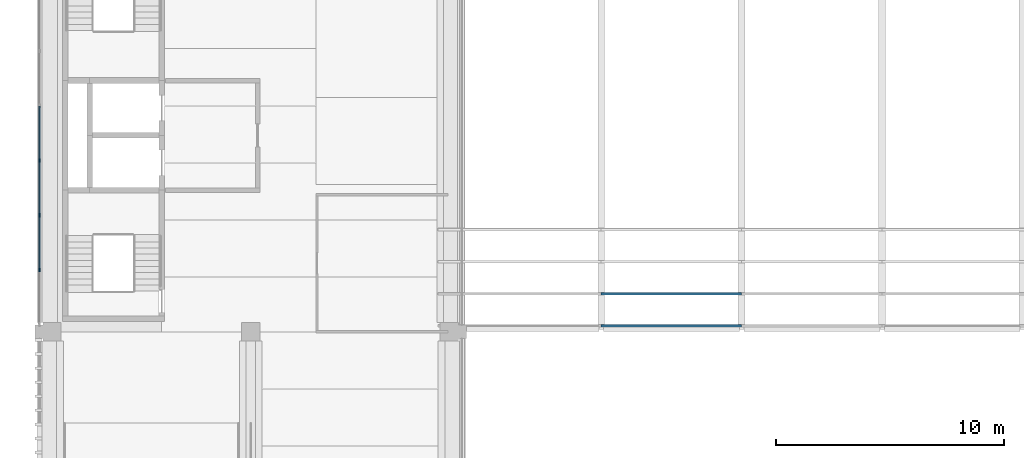
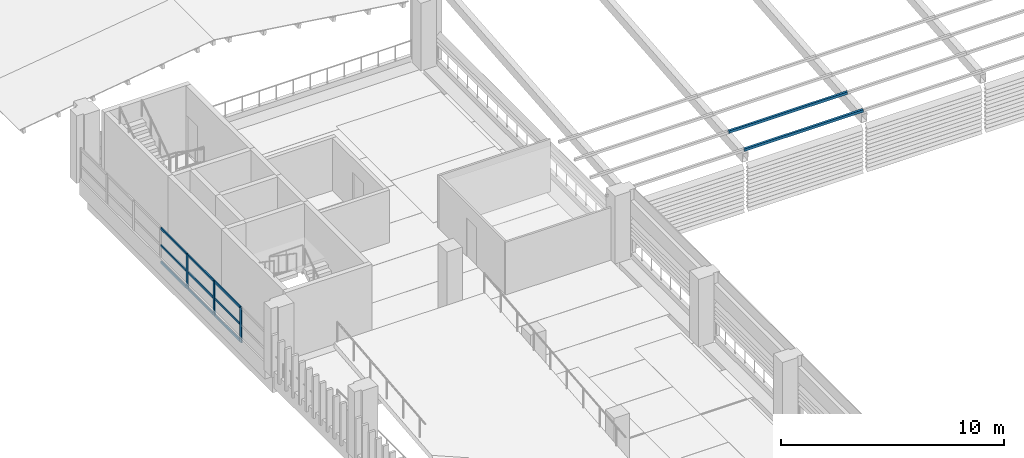
# One storey, part 4 of 52: 14 members, 1 element without a shape of its own.
"""IFC4 building model written with IfcOpenShell, lengths in metres."""

from ifc_helpers import new_model, si_unit, direction, frame, origin, origin_2d, place, context, subcontext, project, spatial, rectangle, hollow_rectangle, extrude, material, layer, layer_set, material_profile, profile_set, type_object, element, aggregate, save


model = new_model("IFC4")

# Units and contexts
model_context = context("Model", 3, precision=1e-05, world=origin(), true_north=direction((0.0, 1.0)))
body_context = subcontext(model_context, "Body", "Model", "MODEL_VIEW")
ifc_project = project(units=[si_unit("LENGTHUNIT", "METRE"), si_unit("AREAUNIT", "SQUARE_METRE"), si_unit("VOLUMEUNIT", "CUBIC_METRE"), si_unit("PLANEANGLEUNIT", "RADIAN"), si_unit("MASSUNIT", "GRAM", prefix="KILO")], contexts=[model_context])

# Site, building, storey
site_placement = place(None, origin())
site = spatial("IfcSite", under=ifc_project, at=site_placement, CompositionType="ELEMENT")
building_placement = place(site_placement, origin())
building = spatial("IfcBuilding", under=site, at=building_placement, Name="Cour d'Honneur Mobility Palace", CompositionType="ELEMENT")
storey_placement = place(building_placement, frame((0.0, 0.0, 23.0)))
storey = spatial("IfcBuildingStorey", under=building, at=storey_placement, Name="L06", CompositionType="ELEMENT", Elevation=23.0)

# Curtain wall, members
ifc_material_1 = material(Name="Aluminium and glass", Category="aluminium")
ifc_layer = layer(ifc_material_1, 0.10009765625)
ifc_layer_set = layer_set([ifc_layer], Name="Aluminium and glass")
curtain_wall_type = type_object("IfcCurtainWallType", Name="Curtain wall run", PredefinedType="NOTDEFINED", material=ifc_layer_set)
curtain_wall_placement = place(storey_placement, origin())
curtain_wall = element("IfcCurtainWall", 1, at=curtain_wall_placement, inside=storey, type_object=curtain_wall_type, Name="Curtain wall CW-107", PredefinedType="NOTDEFINED")
ifc_material_2 = material(Name="Aluminium", Category="aluminium")
ifc_material_profile_1 = material_profile(ifc_material_2, rectangle(XDim=0.06005859375, YDim=0.159912109375, at=origin_2d()), Name="Curtain wall mullion")
ifc_profile_set_1 = profile_set([ifc_material_profile_1], Name="Aluminium")
member_type_1 = type_object("IfcMemberType", Name="Curtain wall mullion", PredefinedType="MULLION", material=ifc_profile_set_1)
member_1_placement = place(storey_placement, frame((-0.550048828125, 52.5, 0.0), z_axis=(0.0, 0.0, 1.0), x_axis=(1.0, 0.0, 0.0)))
member_1 = element("IfcMember", 2, at=member_1_placement, type_object=member_type_1, Name="CW-107 mullion 5", PredefinedType="MULLION", context=body_context, shape_type="SweptSolid", body=[
    extrude(rectangle(XDim=0.06005859375, YDim=0.159912109375, at=origin_2d()), origin(), (0.0, 0.0, 1.0), 1.89990234375),
])
member_2_placement = place(storey_placement, frame((-0.550048828125, 50.10009765625, 0.0), z_axis=(0.0, 0.0, 1.0), x_axis=(1.0, 0.0, 0.0)))
member_2 = element("IfcMember", 3, at=member_2_placement, type_object=member_type_1, Name="CW-107 mullion 6", PredefinedType="MULLION", context=body_context, shape_type="SweptSolid", body=[
    extrude(rectangle(XDim=0.06005859375, YDim=0.159912109375, at=origin_2d()), origin(), (0.0, 0.0, 1.0), 1.89990234375),
])
member_3_placement = place(storey_placement, frame((-0.550048828125, 47.699951171875, 0.0), z_axis=(0.0, 0.0, 1.0), x_axis=(1.0, 0.0, 0.0)))
member_3 = element("IfcMember", 4, at=member_3_placement, type_object=member_type_1, Name="CW-107 mullion 7", PredefinedType="MULLION", context=body_context, shape_type="SweptSolid", body=[
    extrude(rectangle(XDim=0.06005859375, YDim=0.159912109375, at=origin_2d()), origin(), (0.0, 0.0, 1.0), 1.89990234375),
])
ifc_material_3 = material(Name="Aluminium", Category="aluminium")
ifc_material_profile_2 = material_profile(ifc_material_3, rectangle(XDim=0.06005859375, YDim=0.1201171875, at=origin_2d()), Name="Curtain wall transom")
ifc_profile_set_2 = profile_set([ifc_material_profile_2], Name="Aluminium")
member_type_2 = type_object("IfcMemberType", Name="Curtain wall transom", PredefinedType="USERDEFINED", material=ifc_profile_set_2)
member_4_placement = place(storey_placement, frame((-0.550048828125, 54.8701171875, 0.030029296875), z_axis=(0.0, -1.0, 0.0), x_axis=(1.0, 0.0, 0.0)))
member_4 = element("IfcMember", 5, at=member_4_placement, type_object=member_type_2, Name="CW-107 transom 4.1", ObjectType="TRANSOM", PredefinedType="USERDEFINED", context=body_context, shape_type="SweptSolid", body=[
    extrude(rectangle(XDim=0.06005859375, YDim=0.1201171875, at=origin_2d()), origin(), (0.0, 0.0, 1.0), 2.340087890625),
])
member_5_placement = place(storey_placement, frame((-0.550048828125, 54.8701171875, 0.949951171875), z_axis=(0.0, -1.0, 0.0), x_axis=(1.0, 0.0, 0.0)))
member_5 = element("IfcMember", 6, at=member_5_placement, type_object=member_type_2, Name="CW-107 transom 4.2", ObjectType="TRANSOM", PredefinedType="USERDEFINED", context=body_context, shape_type="SweptSolid", body=[
    extrude(rectangle(XDim=0.06005859375, YDim=0.1201171875, at=origin_2d()), origin(), (0.0, 0.0, 1.0), 2.340087890625),
])
member_6_placement = place(storey_placement, frame((-0.550048828125, 54.8701171875, 1.8701171875), z_axis=(0.0, -1.0, 0.0), x_axis=(1.0, 0.0, 0.0)))
member_6 = element("IfcMember", 7, at=member_6_placement, type_object=member_type_2, Name="CW-107 transom 4.3", ObjectType="TRANSOM", PredefinedType="USERDEFINED", context=body_context, shape_type="SweptSolid", body=[
    extrude(rectangle(XDim=0.06005859375, YDim=0.1201171875, at=origin_2d()), origin(), (0.0, 0.0, 1.0), 2.340087890625),
])
member_7_placement = place(storey_placement, frame((-0.550048828125, 52.469970703125, 0.030029296875), z_axis=(0.0, -1.0, 0.0), x_axis=(1.0, 0.0, 0.0)))
member_7 = element("IfcMember", 8, at=member_7_placement, type_object=member_type_2, Name="CW-107 transom 5.1", ObjectType="TRANSOM", PredefinedType="USERDEFINED", context=body_context, shape_type="SweptSolid", body=[
    extrude(rectangle(XDim=0.06005859375, YDim=0.1201171875, at=origin_2d()), origin(), (0.0, 0.0, 1.0), 2.340087890625),
])
member_8_placement = place(storey_placement, frame((-0.550048828125, 52.469970703125, 0.949951171875), z_axis=(0.0, -1.0, 0.0), x_axis=(1.0, 0.0, 0.0)))
member_8 = element("IfcMember", 9, at=member_8_placement, type_object=member_type_2, Name="CW-107 transom 5.2", ObjectType="TRANSOM", PredefinedType="USERDEFINED", context=body_context, shape_type="SweptSolid", body=[
    extrude(rectangle(XDim=0.06005859375, YDim=0.1201171875, at=origin_2d()), origin(), (0.0, 0.0, 1.0), 2.340087890625),
])
member_9_placement = place(storey_placement, frame((-0.550048828125, 52.469970703125, 1.8701171875), z_axis=(0.0, -1.0, 0.0), x_axis=(1.0, 0.0, 0.0)))
member_9 = element("IfcMember", 10, at=member_9_placement, type_object=member_type_2, Name="CW-107 transom 5.3", ObjectType="TRANSOM", PredefinedType="USERDEFINED", context=body_context, shape_type="SweptSolid", body=[
    extrude(rectangle(XDim=0.06005859375, YDim=0.1201171875, at=origin_2d()), origin(), (0.0, 0.0, 1.0), 2.340087890625),
])
member_10_placement = place(storey_placement, frame((-0.550048828125, 50.070068359375, 0.030029296875), z_axis=(0.0, -1.0, 0.0), x_axis=(1.0, 0.0, 0.0)))
member_10 = element("IfcMember", 11, at=member_10_placement, type_object=member_type_2, Name="CW-107 transom 6.1", ObjectType="TRANSOM", PredefinedType="USERDEFINED", context=body_context, shape_type="SweptSolid", body=[
    extrude(rectangle(XDim=0.06005859375, YDim=0.1201171875, at=origin_2d()), origin(), (0.0, 0.0, 1.0), 2.340087890625),
])
member_11_placement = place(storey_placement, frame((-0.550048828125, 50.070068359375, 0.949951171875), z_axis=(0.0, -1.0, 0.0), x_axis=(1.0, 0.0, 0.0)))
member_11 = element("IfcMember", 12, at=member_11_placement, type_object=member_type_2, Name="CW-107 transom 6.2", ObjectType="TRANSOM", PredefinedType="USERDEFINED", context=body_context, shape_type="SweptSolid", body=[
    extrude(rectangle(XDim=0.06005859375, YDim=0.1201171875, at=origin_2d()), origin(), (0.0, 0.0, 1.0), 2.340087890625),
])
member_12_placement = place(storey_placement, frame((-0.550048828125, 50.070068359375, 1.8701171875), z_axis=(0.0, -1.0, 0.0), x_axis=(1.0, 0.0, 0.0)))
member_12 = element("IfcMember", 13, at=member_12_placement, type_object=member_type_2, Name="CW-107 transom 6.3", ObjectType="TRANSOM", PredefinedType="USERDEFINED", context=body_context, shape_type="SweptSolid", body=[
    extrude(rectangle(XDim=0.06005859375, YDim=0.1201171875, at=origin_2d()), origin(), (0.0, 0.0, 1.0), 2.340087890625),
])
aggregate(curtain_wall, [member_1, member_2, member_3, member_4, member_5, member_6, member_7, member_8, member_9, member_10, member_11, member_12])

# Members
ifc_material_4 = material(Name="Steel S355", Category="steel")
ifc_material_profile_3 = material_profile(ifc_material_4, hollow_rectangle(XDim=0.10009765625, YDim=0.14990234375, WallThickness=0.00634765625, at=origin_2d()), Name="RHS 150x100x6.3")
ifc_profile_set_3 = profile_set([ifc_material_profile_3], Name="Steel S355")
member_type_3 = type_object("IfcMemberType", Name="Pergola purlin RHS 150x100x6.3", PredefinedType="PURLIN", material=ifc_profile_set_3)
for number, where, z_axis, x_axis, name in (
    (14, (24.050048828125, 45.2548828125, 3.388671875), (1.0, 0.0, 0.0), (0.0, 0.996196869991, 0.08713091426), "Pergola purlin FW-1.2"),
    (15, (24.050048828125, 46.66259765625, 3.51171875), (1.0, 0.0, 0.0), (0.0, 0.996196869991, 0.08713091426), "Pergola purlin FW-2.2"),
):
    element("IfcMember", number, at=place(storey_placement, frame(where, z_axis=z_axis, x_axis=x_axis)), inside=storey, type_object=member_type_3, Name=name, PredefinedType="PURLIN", context=body_context, shape_type="SweptSolid", body=[
        extrude(hollow_rectangle(XDim=0.10009765625, YDim=0.14990234375, WallThickness=0.00634765625, at=origin_2d()), origin(), (0.0, 0.0, 1.0), 6.14990234375),
    ])

save(model, "model.ifc")
